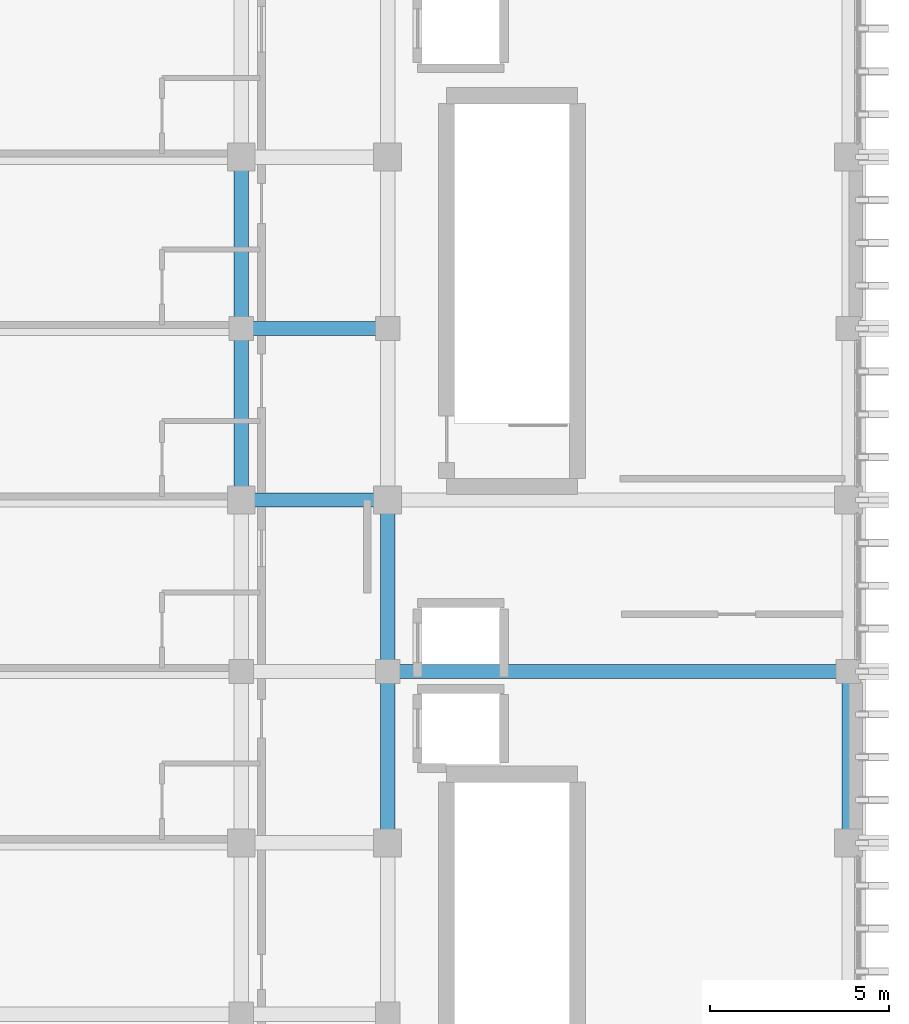
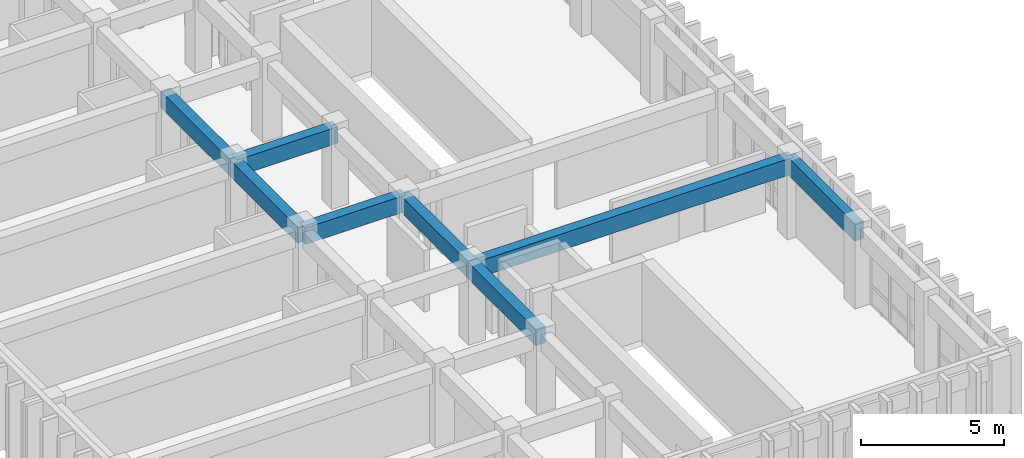
# One storey, part 13 of 68: 8 beams.
"""IFC4 building model written with IfcOpenShell, lengths in metres."""

from ifc_helpers import new_model, si_unit, direction, frame, origin, origin_2d, place, context, subcontext, project, spatial, rectangle, extrude, material, material_profile, profile_set, type_object, element, save


model = new_model("IFC4")

# Units and contexts
model_context = context("Model", 3, precision=1e-05, world=origin(), true_north=direction((0.0, 1.0)))
body_context = subcontext(model_context, "Body", "Model", "MODEL_VIEW")
ifc_project = project(units=[si_unit("LENGTHUNIT", "METRE"), si_unit("AREAUNIT", "SQUARE_METRE"), si_unit("VOLUMEUNIT", "CUBIC_METRE"), si_unit("PLANEANGLEUNIT", "RADIAN"), si_unit("MASSUNIT", "GRAM", prefix="KILO")], contexts=[model_context])

# Site, building, storey
site_placement = place(None, origin())
site = spatial("IfcSite", under=ifc_project, at=site_placement, CompositionType="ELEMENT")
building_placement = place(site_placement, origin())
building = spatial("IfcBuilding", under=site, at=building_placement, Name="Nakhvara Creek Congress Hotel", CompositionType="ELEMENT")
storey_placement = place(building_placement, frame((0.0, 0.0, 24.60009765625)))
storey = spatial("IfcBuildingStorey", under=building, at=storey_placement, Name="L05", CompositionType="ELEMENT", Elevation=24.60009765625)

# Beams
ifc_material = material(Name="Concrete C40/50", Category="concrete")
ifc_material_profile_1 = material_profile(ifc_material, rectangle(XDim=0.39990234375, YDim=0.699951171875, at=origin_2d()), Name="RC-BM 400x700", Category="LoadBearing")
ifc_profile_set_1 = profile_set([ifc_material_profile_1], Name="Concrete C40/50")
beam_type_1 = type_object("IfcBeamType", Name="BM-RC-400X700", PredefinedType="BEAM", material=ifc_profile_set_1)
beam_1_placement = place(storey_placement, frame((162.35009765625, 48.0, 2.989990234375), z_axis=(1.0, 0.0, 0.0), x_axis=(0.0, 1.0, 0.0)))
element("IfcBeam", 1, at=beam_1_placement, inside=storey, type_object=beam_type_1, Name="Beam B05-L05-2092", PredefinedType="BEAM", context=body_context, shape_type="SweptSolid", body=[
    extrude(rectangle(XDim=0.39990234375, YDim=0.699951171875, at=origin_2d()), origin(), (0.0, 0.0, 1.0), 4.099853515625),
])
for number, where, z_axis, x_axis, name in (
    (2, (162.35009765625, 48.0, 2.989990234375), (0.0, 1.0, 0.0), (-1.0, 0.0, 0.0), "Beam B05-L05-2094"),
    (3, (162.35009765625, 52.800048828125, 2.989990234375), (0.0, 1.0, 0.0), (-1.0, 0.0, 0.0), "Beam B05-L05-2096"),
    (4, (166.449951171875, 38.39990234375, 2.989990234375), (0.0, 1.0, 0.0), (-1.0, 0.0, 0.0), "Beam B05-L05-2121"),
    (5, (166.449951171875, 43.199951171875, 2.989990234375), (0.0, 1.0, 0.0), (-1.0, 0.0, 0.0), "Beam B05-L05-2123"),
):
    element("IfcBeam", number, at=place(storey_placement, frame(where, z_axis=z_axis, x_axis=x_axis)), inside=storey, type_object=beam_type_1, Name=name, PredefinedType="BEAM", context=body_context, shape_type="SweptSolid", body=[
        extrude(rectangle(XDim=0.39990234375, YDim=0.699951171875, at=origin_2d()), origin(), (0.0, 0.0, 1.0), 4.800048828125),
    ])
beam_2_placement = place(storey_placement, frame((162.35009765625, 52.800048828125, 2.989990234375), z_axis=(1.0, 0.0, 0.0), x_axis=(0.0, 1.0, 0.0)))
element("IfcBeam", 6, at=beam_2_placement, inside=storey, type_object=beam_type_1, Name="Beam B05-L05-2177", PredefinedType="BEAM", context=body_context, shape_type="SweptSolid", body=[
    extrude(rectangle(XDim=0.39990234375, YDim=0.699951171875, at=origin_2d()), origin(), (0.0, 0.0, 1.0), 4.099853515625),
])
beam_3_placement = place(storey_placement, frame((166.449951171875, 43.199951171875, 2.989990234375), z_axis=(1.0, 0.0, 0.0), x_axis=(0.0, 1.0, 0.0)))
element("IfcBeam", 7, at=beam_3_placement, inside=storey, type_object=beam_type_1, Name="Beam B05-L05-2185", PredefinedType="BEAM", context=body_context, shape_type="SweptSolid", body=[
    extrude(rectangle(XDim=0.39990234375, YDim=0.699951171875, at=origin_2d()), origin(), (0.0, 0.0, 1.0), 12.900146484375),
])
ifc_material_profile_2 = material_profile(ifc_material, rectangle(XDim=0.35009765625, YDim=0.75, at=origin_2d()), Name="RC-SPANDREL 350x750", Category="LoadBearing")
ifc_profile_set_2 = profile_set([ifc_material_profile_2], Name="Concrete C40/50")
beam_type_2 = type_object("IfcBeamType", Name="BM-SPN-350X750", PredefinedType="SPANDREL", material=ifc_profile_set_2)
beam_4_placement = place(storey_placement, frame((179.35009765625, 38.39990234375, 2.96484375), z_axis=(0.0, 1.0, 0.0), x_axis=(-1.0, 0.0, 0.0)))
element("IfcBeam", 8, at=beam_4_placement, inside=storey, type_object=beam_type_2, Name="Beam SP1-L05-2149", PredefinedType="SPANDREL", context=body_context, shape_type="SweptSolid", body=[
    extrude(rectangle(XDim=0.35009765625, YDim=0.75, at=origin_2d()), origin(), (0.0, 0.0, 1.0), 4.800048828125),
])

save(model, "model.ifc")
